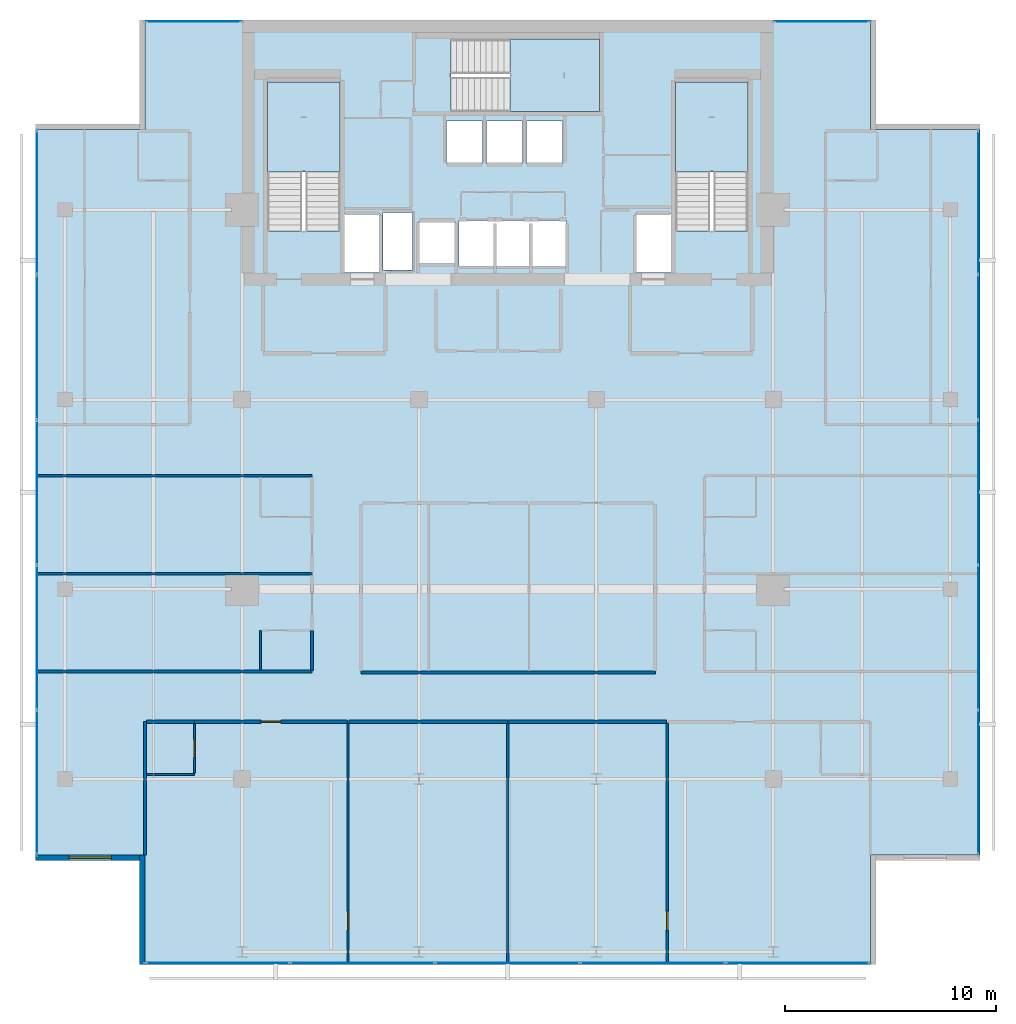
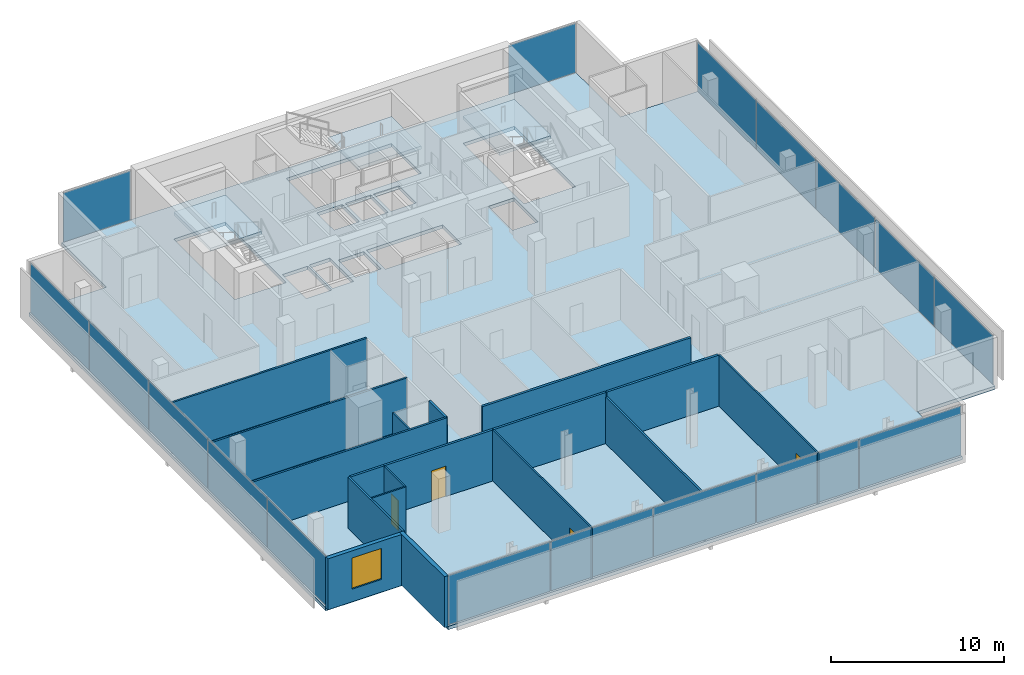
# One storey, part 19 of 25: 18 walls, 17 plates, 4 doors, 4 slabs, 1 window, 5 openings, 8 elements without a shape of their own.
"""IFC4 building model written with IfcOpenShell, lengths in metres."""

from ifc_helpers import new_model, si_unit, direction, frame, frame_2d, origin, origin_2d, place, context, subcontext, project, spatial, polyline, rectangle, outline, extrude, material, layer, layer_set, type_object, element, fill, aggregate, save


model = new_model("IFC4")

# Units and contexts
model_context = context("Model", 3, precision=1e-05, world=origin(), true_north=direction((0.0, 1.0)))
body_context = subcontext(model_context, "Body", "Model", "MODEL_VIEW")
ifc_project = project(units=[si_unit("LENGTHUNIT", "METRE"), si_unit("AREAUNIT", "SQUARE_METRE"), si_unit("VOLUMEUNIT", "CUBIC_METRE"), si_unit("PLANEANGLEUNIT", "RADIAN"), si_unit("MASSUNIT", "GRAM", prefix="KILO")], contexts=[model_context])

# Site, building, storey
site_placement = place(None, origin())
site = spatial("IfcSite", under=ifc_project, at=site_placement, CompositionType="ELEMENT")
building_placement = place(site_placement, origin())
building = spatial("IfcBuilding", under=site, at=building_placement, Name="Maruvema Waterfront Hotel and Observation Tower", CompositionType="ELEMENT")
storey_placement = place(building_placement, frame((0.0, 0.0, 277.89990234375)))
storey = spatial("IfcBuildingStorey", under=building, at=storey_placement, Name="L68", CompositionType="ELEMENT", Elevation=277.89990234375)

# Slab
ifc_material_1 = material(Name="Concrete C50/60", Category="concrete")
ifc_layer_1 = layer(ifc_material_1, 0.239990234375, Name="Reinforced Concrete Floor Slab 240 mm")
ifc_layer_set_1 = layer_set([ifc_layer_1], Name="Concrete C50/60")
slab_type_1 = type_object("IfcSlabType", Name="Reinforced Concrete Floor Slab 240 mm", PredefinedType="FLOOR", material=ifc_layer_set_1)
slab_1_placement = place(storey_placement, frame((0.0, 0.0, -0.239990234375)))
element("IfcSlab", 1, at=slab_1_placement, inside=storey, type_object=slab_type_1, Name="L68 Structural Floor Slab", PredefinedType="FLOOR", context=body_context, shape_type="SweptSolid", body=[
    extrude(outline(polyline([(20.60009765625, 9.199951171875), (55.0, 9.199951171875), (55.0, 14.39990234375), (60.199951171875, 14.39990234375), (60.199951171875, 48.800048828125), (55.0, 48.800048828125), (55.0, 54.0), (20.60009765625, 54.0), (20.60009765625, 48.800048828125), (15.39990234375, 48.800048828125), (15.39990234375, 14.39990234375), (20.60009765625, 14.39990234375), (20.60009765625, 9.199951171875)]), holes=[polyline([(26.39990234375, 44.00048828125), (26.39990234375, 51.050048828125), (29.85009765625, 51.050048828125), (29.85009765625, 44.00048828125), (26.39990234375, 44.00048828125)]), polyline([(30.050048828125, 44.800048828125), (31.75, 44.800048828125), (31.75, 42.02001953125), (30.050048828125, 42.02001953125), (30.050048828125, 44.800048828125)]), polyline([(31.8798828125, 42.139892578125), (31.8798828125, 44.860107421875), (33.280029296875, 44.860107421875), (33.280029296875, 42.139892578125), (31.8798828125, 42.139892578125)]), polyline([(33.60009765625, 44.449951171875), (35.300048828125, 44.449951171875), (35.300048828125, 42.449951171875), (33.60009765625, 42.449951171875), (33.60009765625, 44.449951171875)]), polyline([(34.89990234375, 49.199951171875), (36.60009765625, 49.199951171875), (36.60009765625, 47.199951171875), (34.89990234375, 47.199951171875), (34.89990234375, 49.199951171875)]), polyline([(36.800048828125, 47.199951171875), (36.800048828125, 49.199951171875), (38.5, 49.199951171875), (38.5, 47.199951171875), (36.800048828125, 47.199951171875)]), polyline([(35.5, 42.300048828125), (35.5, 44.5), (40.60009765625, 44.5), (40.60009765625, 42.300048828125), (35.5, 42.300048828125)]), polyline([(35.1005859375, 53.10009765625), (42.14990234375, 53.10009765625), (42.14990234375, 49.64990234375), (35.1005859375, 49.64990234375), (35.1005859375, 53.10009765625)]), polyline([(38.699951171875, 49.199951171875), (40.39990234375, 49.199951171875), (40.39990234375, 47.199951171875), (38.699951171875, 47.199951171875), (38.699951171875, 49.199951171875)]), polyline([(43.85009765625, 44.800048828125), (45.550048828125, 44.800048828125), (45.550048828125, 42.02001953125), (43.85009765625, 42.02001953125), (43.85009765625, 44.800048828125)]), polyline([(45.75, 44.00048828125), (45.75, 51.050048828125), (49.199951171875, 51.050048828125), (49.199951171875, 44.00048828125), (45.75, 44.00048828125)])]), origin(), (0.0, 0.0, 1.0), 0.239990234375),
])

# Curtain wall, plates
ifc_material_2 = material(Name="Anodised bronze aluminium and solar-control low-E IGU", Category="aluminium")
ifc_layer_2 = layer(ifc_material_2, 0.159912109375, Name="Zone 3 Champagne Inner Thermal Curtain Wall System CW-04")
ifc_layer_set_2 = layer_set([ifc_layer_2], Name="Anodised bronze aluminium and solar-control low-E IGU")
curtain_wall_type = type_object("IfcCurtainWallType", Name="Zone 3 Champagne Inner Thermal Curtain Wall System CW-04", PredefinedType="USERDEFINED", material=ifc_layer_set_2)
curtain_wall_1_placement = place(storey_placement, origin())
curtain_wall_1 = element("IfcCurtainWall", 2, at=curtain_wall_1_placement, inside=storey, type_object=curtain_wall_type, Name="L68 Curtain Wall CW-L68-S", ObjectType="UNITISED CURTAIN WALL", PredefinedType="USERDEFINED")
ifc_material_3 = material(Name="Laminated low-E solar-control double glazing", Category="glass")
ifc_layer_3 = layer(ifc_material_3, 0.035888671875, Name="Solar Control Double-Glazed Curtain Panel 36 mm")
ifc_layer_set_3 = layer_set([ifc_layer_3], Name="Laminated low-E solar-control double glazing")
plate_type = type_object("IfcPlateType", Name="Solar Control Double-Glazed Curtain Panel 36 mm", PredefinedType="CURTAIN_PANEL", material=ifc_layer_set_3)
plate_1_placement = place(storey_placement, frame((24.054931640625, 9.280029296875, 0.06005859375), z_axis=(0.0, 0.0, 1.0), x_axis=(1.0, 0.0, 0.0)))
plate_1 = element("IfcPlate", 3, at=plate_1_placement, type_object=plate_type, Name="CW-04 panel 1.1", PredefinedType="CURTAIN_PANEL", context=body_context, shape_type="SweptSolid", body=[
    extrude(rectangle(XDim=6.7900390625, YDim=0.028076171875, at=origin_2d()), origin(), (0.0, 0.0, 1.0), 3.489990234375),
])
plate_2_placement = place(storey_placement, frame((30.919921875, 9.280029296875, 0.06005859375), z_axis=(0.0, 0.0, 1.0), x_axis=(1.0, 0.0, 0.0)))
plate_2 = element("IfcPlate", 4, at=plate_2_placement, type_object=plate_type, Name="CW-04 panel 2.1", PredefinedType="CURTAIN_PANEL", context=body_context, shape_type="SweptSolid", body=[
    extrude(rectangle(XDim=6.820068359375, YDim=0.028076171875, at=origin_2d()), origin(), (0.0, 0.0, 1.0), 3.489990234375),
])
plate_3_placement = place(storey_placement, frame((37.800048828125, 9.280029296875, 0.06005859375), z_axis=(0.0, 0.0, 1.0), x_axis=(1.0, 0.0, 0.0)))
plate_3 = element("IfcPlate", 5, at=plate_3_placement, type_object=plate_type, Name="CW-04 panel 3.1", PredefinedType="CURTAIN_PANEL", context=body_context, shape_type="SweptSolid", body=[
    extrude(rectangle(XDim=6.820068359375, YDim=0.028076171875, at=origin_2d()), origin(), (0.0, 0.0, 1.0), 3.489990234375),
])
plate_4_placement = place(storey_placement, frame((44.679931640625, 9.280029296875, 0.06005859375), z_axis=(0.0, 0.0, 1.0), x_axis=(1.0, 0.0, 0.0)))
plate_4 = element("IfcPlate", 6, at=plate_4_placement, type_object=plate_type, Name="CW-04 panel 4.1", PredefinedType="CURTAIN_PANEL", context=body_context, shape_type="SweptSolid", body=[
    extrude(rectangle(XDim=6.820068359375, YDim=0.028076171875, at=origin_2d()), origin(), (0.0, 0.0, 1.0), 3.489990234375),
])
plate_5_placement = place(storey_placement, frame((51.544921875, 9.280029296875, 0.06005859375), z_axis=(0.0, 0.0, 1.0), x_axis=(1.0, 0.0, 0.0)))
plate_5 = element("IfcPlate", 7, at=plate_5_placement, type_object=plate_type, Name="CW-04 panel 5.1", PredefinedType="CURTAIN_PANEL", context=body_context, shape_type="SweptSolid", body=[
    extrude(rectangle(XDim=6.7900390625, YDim=0.028076171875, at=origin_2d()), origin(), (0.0, 0.0, 1.0), 3.489990234375),
])
aggregate(curtain_wall_1, [plate_1, plate_2, plate_3, plate_4, plate_5])

curtain_wall_2_placement = place(storey_placement, origin())
curtain_wall_2 = element("IfcCurtainWall", 8, at=curtain_wall_2_placement, inside=storey, type_object=curtain_wall_type, Name="L68 Curtain Wall CW-L68-E", ObjectType="UNITISED CURTAIN WALL", PredefinedType="USERDEFINED")
plate_6_placement = place(storey_placement, frame((60.1201171875, 17.85498046875, 0.06005859375), z_axis=(0.0, 0.0, 1.0), x_axis=(0.0, 1.0, 0.0)))
plate_6 = element("IfcPlate", 9, at=plate_6_placement, type_object=plate_type, Name="CW-04 panel 1.1", PredefinedType="CURTAIN_PANEL", context=body_context, shape_type="SweptSolid", body=[
    extrude(rectangle(XDim=6.7900390625, YDim=0.028076171875, at=origin_2d()), origin(), (0.0, 0.0, 1.0), 3.489990234375),
])
plate_7_placement = place(storey_placement, frame((60.1201171875, 24.719970703125, 0.06005859375), z_axis=(0.0, 0.0, 1.0), x_axis=(0.0, 1.0, 0.0)))
plate_7 = element("IfcPlate", 10, at=plate_7_placement, type_object=plate_type, Name="CW-04 panel 2.1", PredefinedType="CURTAIN_PANEL", context=body_context, shape_type="SweptSolid", body=[
    extrude(rectangle(XDim=6.820068359375, YDim=0.028076171875, at=origin_2d()), origin(), (0.0, 0.0, 1.0), 3.489990234375),
])
plate_8_placement = place(storey_placement, frame((60.1201171875, 31.60009765625, 0.06005859375), z_axis=(0.0, 0.0, 1.0), x_axis=(0.0, 1.0, 0.0)))
plate_8 = element("IfcPlate", 11, at=plate_8_placement, type_object=plate_type, Name="CW-04 panel 3.1", PredefinedType="CURTAIN_PANEL", context=body_context, shape_type="SweptSolid", body=[
    extrude(rectangle(XDim=6.820068359375, YDim=0.028076171875, at=origin_2d()), origin(), (0.0, 0.0, 1.0), 3.489990234375),
])
plate_9_placement = place(storey_placement, frame((60.1201171875, 38.47998046875, 0.06005859375), z_axis=(0.0, 0.0, 1.0), x_axis=(0.0, 1.0, 0.0)))
plate_9 = element("IfcPlate", 12, at=plate_9_placement, type_object=plate_type, Name="CW-04 panel 4.1", PredefinedType="CURTAIN_PANEL", context=body_context, shape_type="SweptSolid", body=[
    extrude(rectangle(XDim=6.820068359375, YDim=0.028076171875, at=origin_2d()), origin(), (0.0, 0.0, 1.0), 3.489990234375),
])
plate_10_placement = place(storey_placement, frame((60.1201171875, 45.344970703125, 0.06005859375), z_axis=(0.0, 0.0, 1.0), x_axis=(0.0, 1.0, 0.0)))
plate_10 = element("IfcPlate", 13, at=plate_10_placement, type_object=plate_type, Name="CW-04 panel 5.1", PredefinedType="CURTAIN_PANEL", context=body_context, shape_type="SweptSolid", body=[
    extrude(rectangle(XDim=6.7900390625, YDim=0.028076171875, at=origin_2d()), origin(), (0.0, 0.0, 1.0), 3.489990234375),
])
aggregate(curtain_wall_2, [plate_6, plate_7, plate_8, plate_9, plate_10])

curtain_wall_3_placement = place(storey_placement, origin())
curtain_wall_3 = element("IfcCurtainWall", 14, at=curtain_wall_3_placement, inside=storey, type_object=curtain_wall_type, Name="L68 Curtain Wall CW-L68-W", ObjectType="UNITISED CURTAIN WALL", PredefinedType="USERDEFINED")
plate_11_placement = place(storey_placement, frame((15.47998046875, 45.344970703125, 0.06005859375), z_axis=(0.0, 0.0, 1.0), x_axis=(0.0, -1.0, 0.0)))
plate_11 = element("IfcPlate", 15, at=plate_11_placement, type_object=plate_type, Name="CW-04 panel 1.1", PredefinedType="CURTAIN_PANEL", context=body_context, shape_type="SweptSolid", body=[
    extrude(rectangle(XDim=6.7900390625, YDim=0.028076171875, at=origin_2d()), origin(), (0.0, 0.0, 1.0), 3.489990234375),
])
plate_12_placement = place(storey_placement, frame((15.47998046875, 38.47998046875, 0.06005859375), z_axis=(0.0, 0.0, 1.0), x_axis=(0.0, -1.0, 0.0)))
plate_12 = element("IfcPlate", 16, at=plate_12_placement, type_object=plate_type, Name="CW-04 panel 2.1", PredefinedType="CURTAIN_PANEL", context=body_context, shape_type="SweptSolid", body=[
    extrude(rectangle(XDim=6.820068359375, YDim=0.028076171875, at=origin_2d()), origin(), (0.0, 0.0, 1.0), 3.489990234375),
])
plate_13_placement = place(storey_placement, frame((15.47998046875, 31.60009765625, 0.06005859375), z_axis=(0.0, 0.0, 1.0), x_axis=(0.0, -1.0, 0.0)))
plate_13 = element("IfcPlate", 17, at=plate_13_placement, type_object=plate_type, Name="CW-04 panel 3.1", PredefinedType="CURTAIN_PANEL", context=body_context, shape_type="SweptSolid", body=[
    extrude(rectangle(XDim=6.820068359375, YDim=0.028076171875, at=origin_2d()), origin(), (0.0, 0.0, 1.0), 3.489990234375),
])
plate_14_placement = place(storey_placement, frame((15.47998046875, 24.719970703125, 0.06005859375), z_axis=(0.0, 0.0, 1.0), x_axis=(0.0, -1.0, 0.0)))
plate_14 = element("IfcPlate", 18, at=plate_14_placement, type_object=plate_type, Name="CW-04 panel 4.1", PredefinedType="CURTAIN_PANEL", context=body_context, shape_type="SweptSolid", body=[
    extrude(rectangle(XDim=6.820068359375, YDim=0.028076171875, at=origin_2d()), origin(), (0.0, 0.0, 1.0), 3.489990234375),
])
plate_15_placement = place(storey_placement, frame((15.47998046875, 17.85498046875, 0.06005859375), z_axis=(0.0, 0.0, 1.0), x_axis=(0.0, -1.0, 0.0)))
plate_15 = element("IfcPlate", 19, at=plate_15_placement, type_object=plate_type, Name="CW-04 panel 5.1", PredefinedType="CURTAIN_PANEL", context=body_context, shape_type="SweptSolid", body=[
    extrude(rectangle(XDim=6.7900390625, YDim=0.028076171875, at=origin_2d()), origin(), (0.0, 0.0, 1.0), 3.489990234375),
])
aggregate(curtain_wall_3, [plate_11, plate_12, plate_13, plate_14, plate_15])

# Curtain wall, plate
curtain_wall_4_placement = place(storey_placement, origin())
curtain_wall_4 = element("IfcCurtainWall", 20, at=curtain_wall_4_placement, inside=storey, type_object=curtain_wall_type, Name="L68 Curtain Wall CW-L68-NW", ObjectType="UNITISED CURTAIN WALL", PredefinedType="USERDEFINED")
plate_16_placement = place(storey_placement, frame((22.89990234375, 53.919921875, 0.06005859375), z_axis=(0.0, 0.0, 1.0), x_axis=(-1.0, 0.0, 0.0)))
plate_16 = element("IfcPlate", 21, at=plate_16_placement, type_object=plate_type, Name="CW-04 panel 1.1", PredefinedType="CURTAIN_PANEL", context=body_context, shape_type="SweptSolid", body=[
    extrude(rectangle(XDim=4.47998046875, YDim=0.028076171875, at=origin_2d()), origin(), (0.0, 0.0, 1.0), 3.489990234375),
])
aggregate(curtain_wall_4, [plate_16])

curtain_wall_5_placement = place(storey_placement, origin())
curtain_wall_5 = element("IfcCurtainWall", 22, at=curtain_wall_5_placement, inside=storey, type_object=curtain_wall_type, Name="L68 Curtain Wall CW-L68-NE", ObjectType="UNITISED CURTAIN WALL", PredefinedType="USERDEFINED")
plate_17_placement = place(storey_placement, frame((52.699951171875, 53.919921875, 0.06005859375), z_axis=(0.0, 0.0, 1.0), x_axis=(-1.0, 0.0, 0.0)))
plate_17 = element("IfcPlate", 23, at=plate_17_placement, type_object=plate_type, Name="CW-04 panel 1.1", PredefinedType="CURTAIN_PANEL", context=body_context, shape_type="SweptSolid", body=[
    extrude(rectangle(XDim=4.47998046875, YDim=0.028076171875, at=origin_2d()), origin(), (0.0, 0.0, 1.0), 3.489990234375),
])
aggregate(curtain_wall_5, [plate_17])

# Stair, slab
ifc_material_4 = material(Name="Concrete C50/60", Category="concrete")
stair_type = type_object("IfcStairType", Name="Dogleg Exit Stair 1650 mm (22R x 175.0 mm)", PredefinedType="HALF_TURN_STAIR", material=ifc_material_4)
stair_1_placement = place(storey_placement, origin())
stair_1 = element("IfcStair", 24, at=stair_1_placement, inside=storey, type_object=stair_type, Name="L68 ST-01", PredefinedType="HALF_TURN_STAIR")
ifc_material_5 = material(Name="Concrete C50/60", Category="concrete")
ifc_layer_4 = layer(ifc_material_5, 0.219970703125, Name="Stair Concrete Landing Slab 220 mm")
ifc_layer_set_4 = layer_set([ifc_layer_4], Name="Concrete C50/60")
slab_type_2 = type_object("IfcSlabType", Name="Stair Concrete Landing Slab 220 mm", PredefinedType="LANDING", material=ifc_layer_set_4)
slab_2_placement = place(storey_placement, frame((0.0, 0.0, 1.705078125)))
slab_2 = element("IfcSlab", 25, at=slab_2_placement, type_object=slab_type_2, Name="ST-01 landing 1", PredefinedType="LANDING", context=body_context, shape_type="SweptSolid", body=[
    extrude(outline(polyline([(29.85009765625, 46.800048828125), (29.85009765625, 51.050048828125), (26.39990234375, 51.050048828125), (26.39990234375, 46.800048828125), (29.85009765625, 46.800048828125)])), origin(), (0.0, 0.0, 1.0), 0.219970703125),
])
aggregate(stair_1, [slab_2])

stair_2_placement = place(storey_placement, origin())
stair_2 = element("IfcStair", 26, at=stair_2_placement, inside=storey, type_object=stair_type, Name="L68 ST-02", PredefinedType="HALF_TURN_STAIR")
slab_3_placement = place(storey_placement, frame((0.0, 0.0, 1.705078125)))
slab_3 = element("IfcSlab", 27, at=slab_3_placement, type_object=slab_type_2, Name="ST-02 landing 1", PredefinedType="LANDING", context=body_context, shape_type="SweptSolid", body=[
    extrude(outline(polyline([(37.89990234375, 49.64990234375), (42.14990234375, 49.64990234375), (42.14990234375, 53.10009765625), (37.89990234375, 53.10009765625), (37.89990234375, 49.64990234375)])), origin(), (0.0, 0.0, 1.0), 0.219970703125),
])
aggregate(stair_2, [slab_3])

stair_3_placement = place(storey_placement, origin())
stair_3 = element("IfcStair", 28, at=stair_3_placement, inside=storey, type_object=stair_type, Name="L68 ST-03", PredefinedType="HALF_TURN_STAIR")
slab_4_placement = place(storey_placement, frame((0.0, 0.0, 1.705078125)))
slab_4 = element("IfcSlab", 29, at=slab_4_placement, type_object=slab_type_2, Name="ST-03 landing 1", PredefinedType="LANDING", context=body_context, shape_type="SweptSolid", body=[
    extrude(outline(polyline([(49.199951171875, 46.800048828125), (49.199951171875, 51.050048828125), (45.75, 51.050048828125), (45.75, 46.800048828125), (49.199951171875, 46.800048828125)])), origin(), (0.0, 0.0, 1.0), 0.219970703125),
])
aggregate(stair_3, [slab_4])

# Walls
ifc_material_6 = material(Name="Twin-stud acoustic gypsum drywall", Category="gypsum")
ifc_layer_5 = layer(ifc_material_6, 0.14990234375, Name="Acoustic Corridor and Suite Demising Wall 150 mm")
ifc_layer_set_5 = layer_set([ifc_layer_5], Name="Twin-stud acoustic gypsum drywall")
wall_type_1 = type_object("IfcWallType", Name="Acoustic Corridor and Suite Demising Wall 150 mm", PredefinedType="PARTITIONING", material=ifc_layer_set_5)
wall_1_placement = place(storey_placement, frame((30.85009765625, 23.050048828125, 0.0), z_axis=(0.0, 0.0, 1.0), x_axis=(1.0, 0.0, 0.0)))
element("IfcWall", 30, at=wall_1_placement, inside=storey, type_object=wall_type_1, Name="L68 L68-Z3M Back Wall 031", PredefinedType="PARTITIONING", context=body_context, shape_type="SweptSolid", body=[
    extrude(rectangle(XDim=13.949951171875, YDim=0.14990234375, at=frame_2d((6.97509765625, 0.0))), origin(), (0.0, 0.0, 1.0), 3.610107421875),
])
wall_2_placement = place(storey_placement, frame((20.679931640625, 20.719970703125, 0.0), z_axis=(0.0, 0.0, 1.0), x_axis=(1.0, 0.0, 0.0)))
element("IfcWall", 31, at=wall_2_placement, inside=storey, type_object=wall_type_1, Name="L68 Bath L68-S1 Back Wall 041", PredefinedType="PARTITIONING", context=body_context, shape_type="SweptSolid", body=[
    extrude(rectangle(XDim=2.27001953125, YDim=0.14990234375, at=frame_2d((1.135009765625, 0.0))), origin(), (0.0, 0.0, 1.0), 3.610107421875),
])

# Wall, opening, door
wall_3_placement = place(storey_placement, frame((22.949951171875, 20.719970703125, 0.0), z_axis=(0.0, 0.0, 1.0), x_axis=(1.0, 0.0, 0.0)))
wall_3 = element("IfcWall", 32, at=wall_3_placement, inside=storey, type_object=wall_type_1, Name="L68 Unit L68-S1 Corridor Wall 044", PredefinedType="PARTITIONING", context=body_context, shape_type="SweptSolid", body=[
    extrude(rectangle(XDim=7.241943359375, YDim=0.14990234375, at=frame_2d((3.62109375, 0.0))), origin(), (0.0, 0.0, 1.0), 3.610107421875),
])
opening_1_placement = place(wall_3_placement, frame((3.14599609375, 0.0, 0.0)))
opening_1 = element("IfcOpeningElement", 33, at=opening_1_placement, cuts=wall_3, Name="Opening DR-095", PredefinedType="OPENING", context=body_context, shape_type="SweptSolid", body=[
    extrude(rectangle(XDim=0.949951171875, YDim=2.14990234375, at=frame_2d((0.47509765625, 1.074951171875))), frame((0.0, 0.0849609375, 0.0), z_axis=(0.0, -1.0, 0.0), x_axis=(1.0, 0.0, 0.0)), (0.0, 0.0, 1.0), 0.169921875),
])
ifc_material_7 = material(Name="Acoustic solid-core hardwood timber leaf", Category="wood")
door_type_1 = type_object("IfcDoorType", Name="Guestroom Entrance Fire Door 950x2150 mm", OperationType="NOTDEFINED", PredefinedType="DOOR", material=ifc_material_7)
door_1_placement = place(opening_1_placement, frame((0.949951171875, 0.0, 0.0), z_axis=(0.0, 0.0, 1.0), x_axis=(-1.0, 0.0, 0.0)))
door_1 = element("IfcDoor", 34, at=door_1_placement, inside=storey, type_object=door_type_1, Name="L68 Unit L68-S1 Entrance Door", OperationType="SINGLE_SWING_LEFT", OverallHeight=2.14990234375, OverallWidth=0.949951171875, PredefinedType="DOOR", context=body_context, shape_type="SweptSolid", body=[
    extrude(rectangle(XDim=0.949951171875, YDim=2.14990234375, at=frame_2d((0.47509765625, 1.074951171875))), frame((0.0, 0.02490234375, 0.0), z_axis=(0.0, -1.0, 0.0), x_axis=(1.0, 0.0, 0.0)), (0.0, 0.0, 1.0), 0.050048828125),
])
fill(opening_1, door_1)

# Walls
wall_4_placement = place(storey_placement, frame((30.27197265625, 20.719970703125, 0.0), z_axis=(0.0, 0.0, 1.0), x_axis=(1.0, 0.0, 0.0)))
element("IfcWall", 35, at=wall_4_placement, inside=storey, type_object=wall_type_1, Name="L68 Bedroom L68-S1 Back Wall 045", PredefinedType="PARTITIONING", context=body_context, shape_type="SweptSolid", body=[
    extrude(rectangle(XDim=7.508056640625, YDim=0.14990234375, at=frame_2d((3.75390625, 0.0))), origin(), (0.0, 0.0, 1.0), 3.610107421875),
])
wall_5_placement = place(storey_placement, frame((37.820068359375, 20.719970703125, 0.0), z_axis=(0.0, 0.0, 1.0), x_axis=(1.0, 0.0, 0.0)))
element("IfcWall", 36, at=wall_5_placement, inside=storey, type_object=wall_type_1, Name="L68 Bedroom L68-S2 Back Wall 051", PredefinedType="PARTITIONING", context=body_context, shape_type="SweptSolid", body=[
    extrude(rectangle(XDim=7.5078125, YDim=0.14990234375, at=frame_2d((3.75390625, 0.0))), origin(), (0.0, 0.0, 1.0), 3.610107421875),
])
wall_6_placement = place(storey_placement, frame((28.52001953125, 23.159912109375, 0.0), z_axis=(0.0, 0.0, 1.0), x_axis=(0.0, 1.0, 0.0)))
element("IfcWall", 37, at=wall_6_placement, inside=storey, type_object=wall_type_1, Name="L68 Bath L68-W1 Wall 058", PredefinedType="PARTITIONING", context=body_context, shape_type="SweptSolid", body=[
    extrude(rectangle(XDim=1.89013671875, YDim=0.14990234375, at=frame_2d((0.945068359375, 0.0))), origin(), (0.0, 0.0, 1.0), 3.610107421875),
])
ifc_material_8 = material(Name="Moisture-resistant cement-board drywall", Category="gypsum")
ifc_layer_6 = layer(ifc_material_8, 0.10009765625, Name="En-Suite Moisture-Resistant Partition 100 mm")
ifc_layer_set_6 = layer_set([ifc_layer_6], Name="Moisture-resistant cement-board drywall")
wall_type_2 = type_object("IfcWallType", Name="En-Suite Moisture-Resistant Partition 100 mm", PredefinedType="PARTITIONING", material=ifc_layer_set_6)
wall_7_placement = place(storey_placement, frame((20.679931640625, 18.219970703125, 0.0), z_axis=(0.0, 0.0, 1.0), x_axis=(1.0, 0.0, 0.0)))
element("IfcWall", 38, at=wall_7_placement, inside=storey, type_object=wall_type_2, Name="L68 En-Suite L68-S1 South 042", PredefinedType="PARTITIONING", context=body_context, shape_type="SweptSolid", body=[
    extrude(rectangle(XDim=2.27001953125, YDim=0.10009765625, at=frame_2d((1.135009765625, 0.0))), origin(), (0.0, 0.0, 1.0), 3.610107421875),
])

# Wall, opening, door
wall_8_placement = place(storey_placement, frame((22.949951171875, 18.280029296875, 0.0), z_axis=(0.0, 0.0, 1.0), x_axis=(0.0, 1.0, 0.0)))
wall_8 = element("IfcWall", 39, at=wall_8_placement, inside=storey, type_object=wall_type_2, Name="L68 En-Suite L68-S1 East 043", PredefinedType="PARTITIONING", context=body_context, shape_type="SweptSolid", body=[
    extrude(rectangle(XDim=2.340087890625, YDim=0.10009765625, at=frame_2d((1.169921875, 0.0))), origin(), (0.0, 0.0, 1.0), 3.610107421875),
])
opening_2_placement = place(wall_8_placement, frame((0.7451171875, 0.0, 0.0)))
opening_2 = element("IfcOpeningElement", 40, at=opening_2_placement, cuts=wall_8, Name="Opening DR-085", PredefinedType="OPENING", context=body_context, shape_type="SweptSolid", body=[
    extrude(rectangle(XDim=0.85009765625, YDim=2.10009765625, at=frame_2d((0.425048828125, 1.050048828125))), frame((0.0, 0.06005859375, 0.0), z_axis=(0.0, -1.0, 0.0), x_axis=(1.0, 0.0, 0.0)), (0.0, 0.0, 1.0), 0.1201171875),
])
ifc_material_9 = material(Name="Moisture-resistant solid timber leaf", Category="wood")
door_type_2 = type_object("IfcDoorType", Name="En-Suite Bathroom Door 850x2100 mm", OperationType="NOTDEFINED", PredefinedType="DOOR", material=ifc_material_9)
door_2_placement = place(opening_2_placement, frame((0.85009765625, 0.0, 0.0), z_axis=(0.0, 0.0, 1.0), x_axis=(-1.0, 0.0, 0.0)))
door_2 = element("IfcDoor", 41, at=door_2_placement, inside=storey, type_object=door_type_2, Name="L68 En-Suite L68-S1 Door", OperationType="SINGLE_SWING_RIGHT", OverallHeight=2.10009765625, OverallWidth=0.85009765625, PredefinedType="DOOR", context=body_context, shape_type="SweptSolid", body=[
    extrude(rectangle(XDim=0.85009765625, YDim=2.10009765625, at=frame_2d((0.425048828125, 1.050048828125))), frame((0.0, 0.02490234375, 0.0), z_axis=(0.0, -1.0, 0.0), x_axis=(1.0, 0.0, 0.0)), (0.0, 0.0, 1.0), 0.050048828125),
])
fill(opening_2, door_2)

wall_9_placement = place(storey_placement, frame((30.23193359375, 9.22998046875, 0.0), z_axis=(0.0, 0.0, 1.0), x_axis=(0.0, 1.0, 0.0)))
wall_9 = element("IfcWall", 42, at=wall_9_placement, inside=storey, type_object=wall_type_2, Name="L68 Suite L68-S1 Split 046", PredefinedType="PARTITIONING", context=body_context, shape_type="SweptSolid", body=[
    extrude(rectangle(XDim=11.429931640625, YDim=0.10009765625, at=frame_2d((5.71484375, 0.0))), origin(), (0.0, 0.0, 1.0), 3.610107421875),
])
opening_3_placement = place(wall_9_placement, frame((1.60009765625, 0.0, 0.0)))
opening_3 = element("IfcOpeningElement", 43, at=opening_3_placement, cuts=wall_9, Name="Opening DR-090", PredefinedType="OPENING", context=body_context, shape_type="SweptSolid", body=[
    extrude(rectangle(XDim=0.89990234375, YDim=2.10009765625, at=frame_2d((0.449951171875, 1.050048828125))), frame((0.0, 0.06005859375, 0.0), z_axis=(0.0, -1.0, 0.0), x_axis=(1.0, 0.0, 0.0)), (0.0, 0.0, 1.0), 0.1201171875),
])
ifc_material_10 = material(Name="Solid-core lacquered timber leaf", Category="wood")
door_type_3 = type_object("IfcDoorType", Name="Accessible Toilet and Room Door 900x2100 mm", OperationType="NOTDEFINED", PredefinedType="DOOR", material=ifc_material_10)
door_3_placement = place(opening_3_placement, origin())
door_3 = element("IfcDoor", 44, at=door_3_placement, inside=storey, type_object=door_type_3, Name="L68 Suite L68-S1 Bedroom Door", OperationType="SINGLE_SWING_RIGHT", OverallHeight=2.10009765625, OverallWidth=0.89990234375, PredefinedType="DOOR", context=body_context, shape_type="SweptSolid", body=[
    extrude(rectangle(XDim=0.89990234375, YDim=2.10009765625, at=frame_2d((0.449951171875, 1.050048828125))), frame((0.0, 0.02490234375, 0.0), z_axis=(0.0, -1.0, 0.0), x_axis=(1.0, 0.0, 0.0)), (0.0, 0.0, 1.0), 0.050048828125),
])
fill(opening_3, door_3)

wall_10_placement = place(storey_placement, frame((45.367919921875, 9.22998046875, 0.0), z_axis=(0.0, 0.0, 1.0), x_axis=(0.0, 1.0, 0.0)))
wall_10 = element("IfcWall", 45, at=wall_10_placement, inside=storey, type_object=wall_type_2, Name="L68 Suite L68-S2 Split 053", PredefinedType="PARTITIONING", context=body_context, shape_type="SweptSolid", body=[
    extrude(rectangle(XDim=11.429931640625, YDim=0.10009765625, at=frame_2d((5.71484375, 0.0))), origin(), (0.0, 0.0, 1.0), 3.610107421875),
])
opening_4_placement = place(wall_10_placement, frame((1.60009765625, 0.0, 0.0)))
opening_4 = element("IfcOpeningElement", 46, at=opening_4_placement, cuts=wall_10, Name="Opening DR-090", PredefinedType="OPENING", context=body_context, shape_type="SweptSolid", body=[
    extrude(rectangle(XDim=0.89990234375, YDim=2.10009765625, at=frame_2d((0.449951171875, 1.050048828125))), frame((0.0, 0.06005859375, 0.0), z_axis=(0.0, -1.0, 0.0), x_axis=(1.0, 0.0, 0.0)), (0.0, 0.0, 1.0), 0.1201171875),
])
door_4_placement = place(opening_4_placement, frame((0.89990234375, 0.0, 0.0), z_axis=(0.0, 0.0, 1.0), x_axis=(-1.0, 0.0, 0.0)))
door_4 = element("IfcDoor", 47, at=door_4_placement, inside=storey, type_object=door_type_3, Name="L68 Suite L68-S2 Bedroom Door", OperationType="SINGLE_SWING_LEFT", OverallHeight=2.10009765625, OverallWidth=0.89990234375, PredefinedType="DOOR", context=body_context, shape_type="SweptSolid", body=[
    extrude(rectangle(XDim=0.89990234375, YDim=2.10009765625, at=frame_2d((0.449951171875, 1.050048828125))), frame((0.0, 0.02490234375, 0.0), z_axis=(0.0, -1.0, 0.0), x_axis=(1.0, 0.0, 0.0)), (0.0, 0.0, 1.0), 0.050048828125),
])
fill(opening_4, door_4)

# Walls
wall_11_placement = place(storey_placement, frame((26.070068359375, 23.159912109375, 0.0), z_axis=(0.0, 0.0, 1.0), x_axis=(0.0, 1.0, 0.0)))
element("IfcWall", 48, at=wall_11_placement, inside=storey, type_object=wall_type_2, Name="L68 En-Suite L68-W1 W 060", PredefinedType="PARTITIONING", context=body_context, shape_type="SweptSolid", body=[
    extrude(rectangle(XDim=1.89013671875, YDim=0.10009765625, at=frame_2d((0.945068359375, 0.0))), origin(), (0.0, 0.0, 1.0), 3.610107421875),
])
ifc_material_11 = material(Name="Precast concrete C45/55 with honed Pernambuco granite facing", Category="masonry")
ifc_layer_7 = layer(ifc_material_11, 0.260009765625, Name="Exterior Granite Clad Spandrel and Pier Wall 260 mm")
ifc_layer_set_7 = layer_set([ifc_layer_7], Name="Precast concrete C45/55 with honed Pernambuco granite facing")
wall_type_3 = type_object("IfcWallType", Name="Exterior Granite Clad Spandrel and Pier Wall 260 mm", PredefinedType="SOLIDWALL", material=ifc_layer_set_7)
wall_12_placement = place(storey_placement, frame((20.469970703125, 9.199951171875, 0.0), z_axis=(0.0, 0.0, 1.0), x_axis=(0.0, 1.0, 0.0)))
element("IfcWall", 49, at=wall_12_placement, inside=storey, type_object=wall_type_3, Name="L68 Corner Notch Granite Pier Wall SW1", PredefinedType="SOLIDWALL", context=body_context, shape_type="SweptSolid", body=[
    extrude(rectangle(XDim=5.199951171875, YDim=0.260009765625, at=frame_2d((2.60009765625, 0.0))), origin(), (0.0, 0.0, 1.0), 3.610107421875),
])

# Wall, opening, window
wall_13_placement = place(storey_placement, frame((20.60009765625, 14.27001953125, 0.0), z_axis=(0.0, 0.0, 1.0), x_axis=(-1.0, 0.0, 0.0)))
wall_13 = element("IfcWall", 50, at=wall_13_placement, inside=storey, type_object=wall_type_3, Name="L68 Corner Notch Granite Pier Wall SW2", PredefinedType="SOLIDWALL", context=body_context, shape_type="SweptSolid", body=[
    extrude(rectangle(XDim=5.2001953125, YDim=0.260009765625, at=frame_2d((2.60009765625, 0.0))), origin(), (0.0, 0.0, 1.0), 3.610107421875),
])
opening_5_placement = place(wall_13_placement, frame((1.60009765625, 0.0, 0.89990234375)))
opening_5 = element("IfcOpeningElement", 51, at=opening_5_placement, cuts=wall_13, Name="Opening WN-03", PredefinedType="OPENING", context=body_context, shape_type="SweptSolid", body=[
    extrude(rectangle(XDim=2.0, YDim=2.199951171875, at=frame_2d((1.0, 1.10009765625))), frame((0.0, 0.14013671875, 0.0), z_axis=(0.0, -1.0, 0.0), x_axis=(1.0, 0.0, 0.0)), (0.0, 0.0, 1.0), 0.280029296875),
])
ifc_material_12 = material(Name="Anodised bronze aluminium frame with laminated low-E glass", Category="aluminium")
window_type = type_object("IfcWindowType", Name="Sky Suite Panoramic Notch Window 2000x2200 mm", PartitioningType="SINGLE_PANEL", PredefinedType="WINDOW", material=ifc_material_12)
window_placement = place(opening_5_placement, origin())
window = element("IfcWindow", 52, at=window_placement, inside=storey, type_object=window_type, Name="L68 Corner Notch Punched Window SW2", OverallHeight=2.199951171875, OverallWidth=2.0, PartitioningType="SINGLE_PANEL", PredefinedType="WINDOW", context=body_context, shape_type="SweptSolid", body=[
    extrude(rectangle(XDim=2.0, YDim=2.199951171875, at=frame_2d((1.0, 1.10009765625))), frame((0.0, 0.030029296875, 0.0), z_axis=(0.0, -1.0, 0.0), x_axis=(1.0, 0.0, 0.0)), (0.0, 0.0, 1.0), 0.06005859375),
])
fill(opening_5, window)

# Walls
ifc_material_13 = material(Name="Acoustic gypsum plasterboard drywall", Category="gypsum")
ifc_layer_8 = layer(ifc_material_13, 0.125, Name="Guestroom Acoustic Demising Wall 125 mm")
ifc_layer_set_8 = layer_set([ifc_layer_8], Name="Acoustic gypsum plasterboard drywall")
wall_type_4 = type_object("IfcWallType", Name="Guestroom Acoustic Demising Wall 125 mm", PredefinedType="PARTITIONING", material=ifc_layer_set_8)
wall_14_placement = place(storey_placement, frame((20.60009765625, 14.39990234375, 0.0), z_axis=(0.0, 0.0, 1.0), x_axis=(0.0, 1.0, 0.0)))
element("IfcWall", 53, at=wall_14_placement, inside=storey, type_object=wall_type_4, Name="L68 Z3 S West End 039", PredefinedType="PARTITIONING", context=body_context, shape_type="SweptSolid", body=[
    extrude(rectangle(XDim=6.320068359375, YDim=0.125, at=frame_2d((3.16015625, 0.0))), origin(), (0.0, 0.0, 1.0), 3.610107421875),
])
wall_15_placement = place(storey_placement, frame((37.800048828125, 9.300048828125, 0.0), z_axis=(0.0, 0.0, 1.0), x_axis=(0.0, 1.0, 0.0)))
element("IfcWall", 54, at=wall_15_placement, inside=storey, type_object=wall_type_4, Name="L68 Z3 S Demising 2 047", PredefinedType="PARTITIONING", context=body_context, shape_type="SweptSolid", body=[
    extrude(rectangle(XDim=11.419921875, YDim=0.125, at=frame_2d((5.7099609375, 0.0))), origin(), (0.0, 0.0, 1.0), 3.293212890625),
])
for number, where, z_axis, x_axis, name in (
    (55, (15.5, 23.10009765625, 0.0), (0.0, 0.0, 1.0), (1.0, 0.0, 0.0), "L68 Z3 W Bot End 054"),
    (56, (15.5, 32.3798828125, 0.0), (0.0, 0.0, 1.0), (1.0, 0.0, 0.0), "L68 Z3 W Top End 056"),
    (57, (15.5, 27.739990234375, 0.0), (0.0, 0.0, 1.0), (1.0, 0.0, 0.0), "L68 Z3 W Demising 2 066"),
):
    element("IfcWall", number, at=place(storey_placement, frame(where, z_axis=z_axis, x_axis=x_axis)), inside=storey, type_object=wall_type_4, Name=name, PredefinedType="PARTITIONING", context=body_context, shape_type="SweptSolid", body=[
        extrude(rectangle(XDim=13.02001953125, YDim=0.125, at=frame_2d((6.510009765625, 0.0))), origin(), (0.0, 0.0, 1.0), 3.610107421875),
    ])

save(model, "model.ifc")
